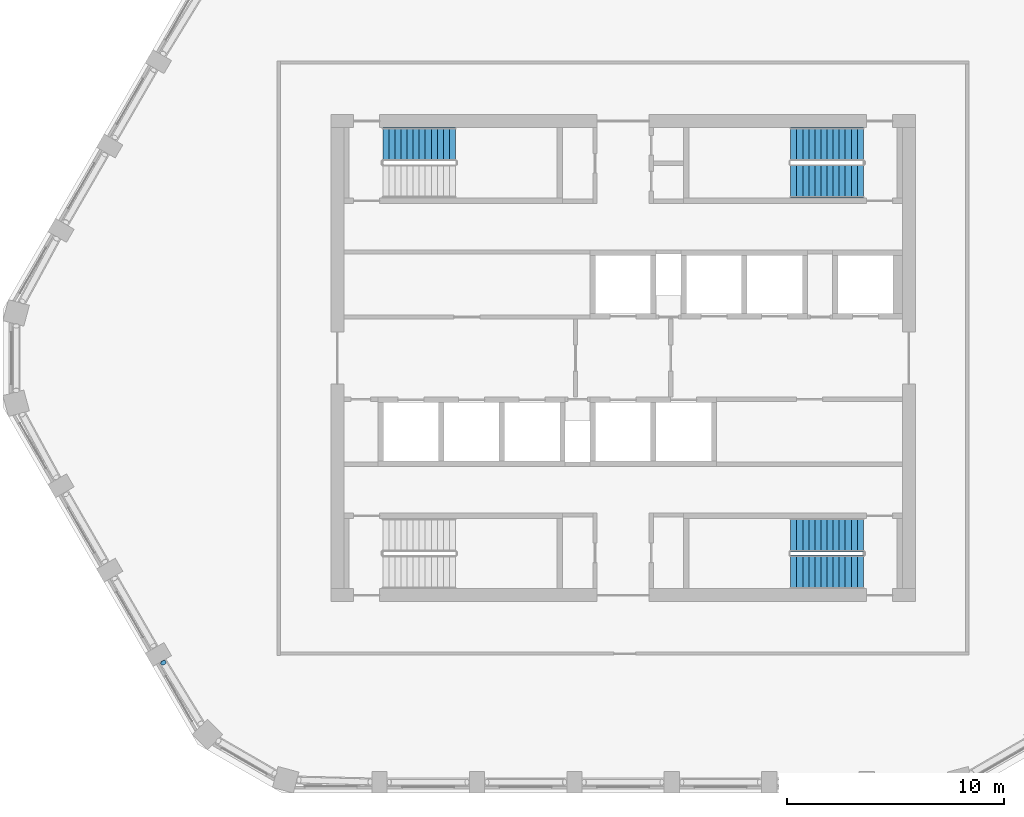
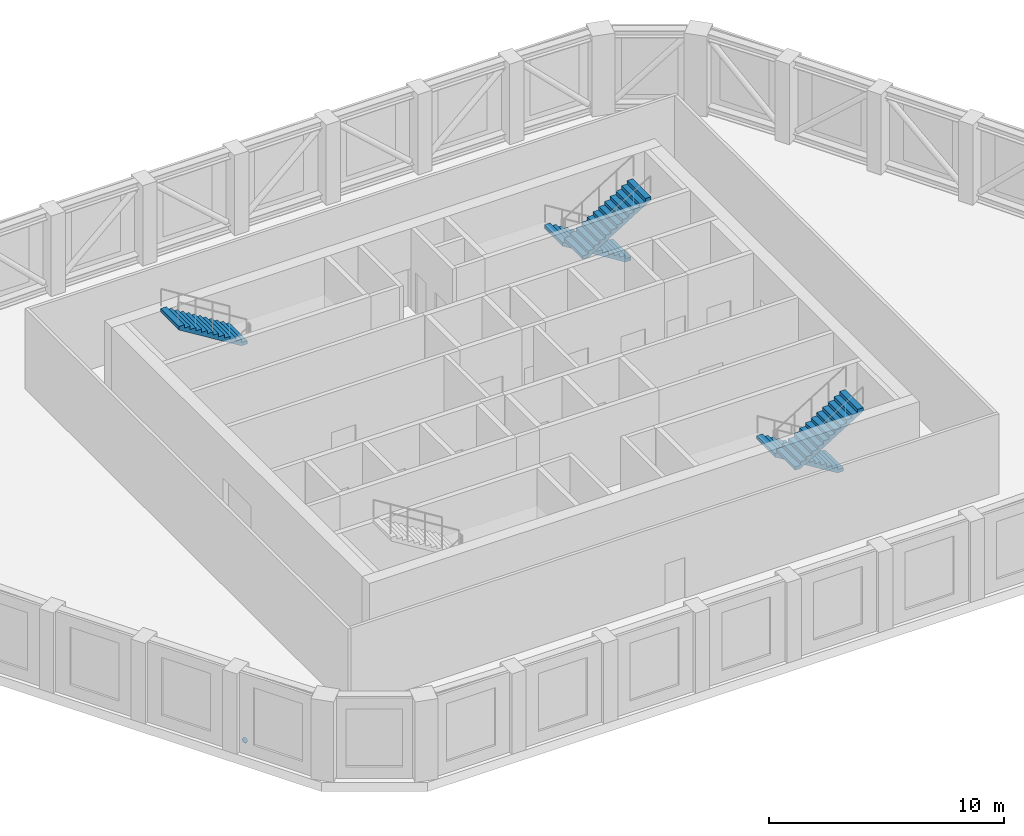
# One storey, part 7 of 14: 5 stair flights, 1 discrete accessory, 3 elements without a shape of their own.
"""IFC4 building model written with IfcOpenShell, lengths in metres."""

from ifc_helpers import new_model, si_unit, direction, frame, origin, origin_2d, place, context, subcontext, project, spatial, polyline, circle, outline, extrude, material, material_profile, profile_set, type_object, element, aggregate, save


model = new_model("IFC4")

# Units and contexts
model_context = context("Model", 3, precision=1e-05, world=origin(), true_north=direction((0.0, 1.0)))
body_context = subcontext(model_context, "Body", "Model", "MODEL_VIEW")
ifc_project = project(units=[si_unit("LENGTHUNIT", "METRE"), si_unit("AREAUNIT", "SQUARE_METRE"), si_unit("VOLUMEUNIT", "CUBIC_METRE"), si_unit("PLANEANGLEUNIT", "RADIAN"), si_unit("MASSUNIT", "GRAM", prefix="KILO")], contexts=[model_context])

# Site, building, storey
site_placement = place(None, origin())
site = spatial("IfcSite", under=ifc_project, at=site_placement, CompositionType="ELEMENT")
building_placement = place(site_placement, origin())
building = spatial("IfcBuilding", under=site, at=building_placement, Name="Dhurran Vertical Campus", CompositionType="ELEMENT")
storey_placement = place(building_placement, frame((0.0, 0.0, 282.0)))
storey = spatial("IfcBuildingStorey", under=building, at=storey_placement, Name="L70 Plant", CompositionType="ELEMENT", Elevation=282.0)

# Stair, stair flight
ifc_material_1 = material(Name="Concrete C40/50", Category="concrete")
stair_type = type_object("IfcStairType", Name="co-ST-CORE", PredefinedType="HALF_TURN_STAIR", material=ifc_material_1)
stair_1_placement = place(storey_placement, origin())
stair_1 = element("IfcStair", 1, at=stair_1_placement, inside=storey, type_object=stair_type, Name="L70 Plant Protected exit stair ST1", PredefinedType="HALF_TURN_STAIR")
ifc_material_2 = material(Name="Concrete C40/50", Category="concrete")
stair_flight_type = type_object("IfcStairFlightType", Name="co-SFL-RC", PredefinedType="STRAIGHT", material=ifc_material_2)
stair_flight_1_placement = place(storey_placement, frame((-7.739990234375, 9.875, 2.25), z_axis=(0.0, 0.0, 1.0), x_axis=(-1.0, 0.0, 0.0)))
stair_flight_1 = element("IfcStairFlight", 2, at=stair_flight_1_placement, type_object=stair_flight_type, Name="ST1 flight 2", NumberOfRisers=13, NumberOfTreads=12, PredefinedType="STRAIGHT", RiserHeight=0.173076923, TreadLength=0.28, context=body_context, shape_type="SweptSolid", body=[
    extrude(outline(polyline([(0.0, 0.0), (0.0, 0.173095703125), (0.280029296875, 0.173095703125), (0.280029296875, 0.34619140625), (0.56005859375, 0.34619140625), (0.56005859375, 0.519287109375), (0.840087890625, 0.519287109375), (0.840087890625, 0.6923828125), (1.1201171875, 0.6923828125), (1.1201171875, 0.865478515625), (1.39990234375, 0.865478515625), (1.39990234375, 1.03857421875), (1.679931640625, 1.03857421875), (1.679931640625, 1.21142578125), (1.9599609375, 1.21142578125), (1.9599609375, 1.384521484375), (2.239990234375, 1.384521484375), (2.239990234375, 1.5576171875), (2.52001953125, 1.5576171875), (2.52001953125, 1.730712890625), (2.800048828125, 1.730712890625), (2.800048828125, 1.90380859375), (3.080078125, 1.90380859375), (3.080078125, 2.076904296875), (3.360107421875, 2.076904296875), (3.360107421875, 2.25), (3.360107421875, 1.900634765625), (0.28515625, 0.0), (0.0, 0.0)])), frame((0.0, 0.77490234375, 0.0), z_axis=(0.0, -1.0, 0.0), x_axis=(1.0, 0.0, 0.0)), (0.0, 0.0, 1.0), 1.550048828125),
])
aggregate(stair_1, [stair_flight_1])

# Stair, stair flights
stair_2_placement = place(storey_placement, origin())
stair_2 = element("IfcStair", 3, at=stair_2_placement, inside=storey, type_object=stair_type, Name="L70 Plant Protected exit stair ST2", PredefinedType="HALF_TURN_STAIR")
stair_flight_2_placement = place(storey_placement, frame((11.10009765625, 9.875, 0.0), z_axis=(0.0, 0.0, 1.0), x_axis=(-1.0, 0.0, 0.0)))
stair_flight_2 = element("IfcStairFlight", 4, at=stair_flight_2_placement, type_object=stair_flight_type, Name="ST2 flight 1", NumberOfRisers=13, NumberOfTreads=12, PredefinedType="STRAIGHT", RiserHeight=0.173076923, TreadLength=0.28, context=body_context, shape_type="SweptSolid", body=[
    extrude(outline(polyline([(0.0, 0.0), (0.0, 0.173095703125), (0.280029296875, 0.173095703125), (0.280029296875, 0.34619140625), (0.56005859375, 0.34619140625), (0.56005859375, 0.519287109375), (0.840087890625, 0.519287109375), (0.840087890625, 0.6923828125), (1.1201171875, 0.6923828125), (1.1201171875, 0.865478515625), (1.39990234375, 0.865478515625), (1.39990234375, 1.03857421875), (1.679931640625, 1.03857421875), (1.679931640625, 1.21142578125), (1.9599609375, 1.21142578125), (1.9599609375, 1.384521484375), (2.239990234375, 1.384521484375), (2.239990234375, 1.5576171875), (2.52001953125, 1.5576171875), (2.52001953125, 1.730712890625), (2.800048828125, 1.730712890625), (2.800048828125, 1.90380859375), (3.080078125, 1.90380859375), (3.080078125, 2.076904296875), (3.360107421875, 2.076904296875), (3.360107421875, 2.25), (3.360107421875, 1.900634765625), (0.28515625, 0.0), (0.0, 0.0)])), frame((0.0, 0.77490234375, 0.0), z_axis=(0.0, -1.0, 0.0), x_axis=(1.0, 0.0, 0.0)), (0.0, 0.0, 1.0), 1.550048828125),
])
stair_flight_3_placement = place(storey_placement, frame((7.739990234375, 8.175048828125, 2.25), z_axis=(0.0, 0.0, 1.0), x_axis=(1.0, 0.0, 0.0)))
stair_flight_3 = element("IfcStairFlight", 5, at=stair_flight_3_placement, type_object=stair_flight_type, Name="ST2 flight 2", NumberOfRisers=13, NumberOfTreads=12, PredefinedType="STRAIGHT", RiserHeight=0.173076923, TreadLength=0.28, context=body_context, shape_type="SweptSolid", body=[
    extrude(outline(polyline([(0.0, 0.0), (0.0, 0.173095703125), (0.280029296875, 0.173095703125), (0.280029296875, 0.34619140625), (0.56005859375, 0.34619140625), (0.56005859375, 0.519287109375), (0.840087890625, 0.519287109375), (0.840087890625, 0.6923828125), (1.1201171875, 0.6923828125), (1.1201171875, 0.865478515625), (1.39990234375, 0.865478515625), (1.39990234375, 1.03857421875), (1.679931640625, 1.03857421875), (1.679931640625, 1.21142578125), (1.9599609375, 1.21142578125), (1.9599609375, 1.384521484375), (2.239990234375, 1.384521484375), (2.239990234375, 1.5576171875), (2.52001953125, 1.5576171875), (2.52001953125, 1.730712890625), (2.800048828125, 1.730712890625), (2.800048828125, 1.90380859375), (3.080078125, 1.90380859375), (3.080078125, 2.076904296875), (3.360107421875, 2.076904296875), (3.360107421875, 2.25), (3.360107421875, 1.900634765625), (0.28515625, 0.0), (0.0, 0.0)])), frame((0.0, 0.77490234375, 0.0), z_axis=(0.0, -1.0, 0.0), x_axis=(1.0, 0.0, 0.0)), (0.0, 0.0, 1.0), 1.550048828125),
])
aggregate(stair_2, [stair_flight_2, stair_flight_3])

stair_3_placement = place(storey_placement, origin())
stair_3 = element("IfcStair", 6, at=stair_3_placement, inside=storey, type_object=stair_type, Name="L70 Plant Protected exit stair ST4", PredefinedType="HALF_TURN_STAIR")
stair_flight_4_placement = place(storey_placement, frame((11.10009765625, -8.175048828125, 0.0), z_axis=(0.0, 0.0, 1.0), x_axis=(-1.0, 0.0, 0.0)))
stair_flight_4 = element("IfcStairFlight", 7, at=stair_flight_4_placement, type_object=stair_flight_type, Name="ST4 flight 1", NumberOfRisers=13, NumberOfTreads=12, PredefinedType="STRAIGHT", RiserHeight=0.173076923, TreadLength=0.28, context=body_context, shape_type="SweptSolid", body=[
    extrude(outline(polyline([(0.0, 0.0), (0.0, 0.173095703125), (0.280029296875, 0.173095703125), (0.280029296875, 0.34619140625), (0.56005859375, 0.34619140625), (0.56005859375, 0.519287109375), (0.840087890625, 0.519287109375), (0.840087890625, 0.6923828125), (1.1201171875, 0.6923828125), (1.1201171875, 0.865478515625), (1.39990234375, 0.865478515625), (1.39990234375, 1.03857421875), (1.679931640625, 1.03857421875), (1.679931640625, 1.21142578125), (1.9599609375, 1.21142578125), (1.9599609375, 1.384521484375), (2.239990234375, 1.384521484375), (2.239990234375, 1.5576171875), (2.52001953125, 1.5576171875), (2.52001953125, 1.730712890625), (2.800048828125, 1.730712890625), (2.800048828125, 1.90380859375), (3.080078125, 1.90380859375), (3.080078125, 2.076904296875), (3.360107421875, 2.076904296875), (3.360107421875, 2.25), (3.360107421875, 1.900634765625), (0.28515625, 0.0), (0.0, 0.0)])), frame((0.0, 0.77490234375, 0.0), z_axis=(0.0, -1.0, 0.0), x_axis=(1.0, 0.0, 0.0)), (0.0, 0.0, 1.0), 1.550048828125),
])
stair_flight_5_placement = place(storey_placement, frame((7.739990234375, -9.875, 2.25), z_axis=(0.0, 0.0, 1.0), x_axis=(1.0, 0.0, 0.0)))
stair_flight_5 = element("IfcStairFlight", 8, at=stair_flight_5_placement, type_object=stair_flight_type, Name="ST4 flight 2", NumberOfRisers=13, NumberOfTreads=12, PredefinedType="STRAIGHT", RiserHeight=0.173076923, TreadLength=0.28, context=body_context, shape_type="SweptSolid", body=[
    extrude(outline(polyline([(0.0, 0.0), (0.0, 0.173095703125), (0.280029296875, 0.173095703125), (0.280029296875, 0.34619140625), (0.56005859375, 0.34619140625), (0.56005859375, 0.519287109375), (0.840087890625, 0.519287109375), (0.840087890625, 0.6923828125), (1.1201171875, 0.6923828125), (1.1201171875, 0.865478515625), (1.39990234375, 0.865478515625), (1.39990234375, 1.03857421875), (1.679931640625, 1.03857421875), (1.679931640625, 1.21142578125), (1.9599609375, 1.21142578125), (1.9599609375, 1.384521484375), (2.239990234375, 1.384521484375), (2.239990234375, 1.5576171875), (2.52001953125, 1.5576171875), (2.52001953125, 1.730712890625), (2.800048828125, 1.730712890625), (2.800048828125, 1.90380859375), (3.080078125, 1.90380859375), (3.080078125, 2.076904296875), (3.360107421875, 2.076904296875), (3.360107421875, 2.25), (3.360107421875, 1.900634765625), (0.28515625, 0.0), (0.0, 0.0)])), frame((0.0, 0.77490234375, 0.0), z_axis=(0.0, -1.0, 0.0), x_axis=(1.0, 0.0, 0.0)), (0.0, 0.0, 1.0), 1.550048828125),
])
aggregate(stair_3, [stair_flight_4, stair_flight_5])

# Discrete accessory
ifc_material_3 = material(Name="Steel S355J2", Category="steel")
ifc_material_profile = material_profile(ifc_material_3, circle(Radius=0.136474609375, at=origin_2d()), Name="Tube end cap 273 x 20")
ifc_profile_set = profile_set([ifc_material_profile], Name="Steel S355J2")
discrete_accessory_type = type_object("IfcDiscreteAccessoryType", Name="Tube end cap 273 x 20", PredefinedType="USERDEFINED", material=ifc_profile_set)
discrete_accessory_placement = place(storey_placement, frame((-21.22998046875, -14.07373046875, 0.468994140625), z_axis=(-0.367911267232, 0.613185445387, -0.699031407741), x_axis=(-0.857492925713, -0.514495755428, 0.0)))
element("IfcDiscreteAccessory", 9, at=discrete_accessory_placement, inside=storey, type_object=discrete_accessory_type, Name="EC1 belt L70 d34 capA", ObjectType="END CAP", PredefinedType="USERDEFINED", context=body_context, shape_type="SweptSolid", body=[
    extrude(circle(Radius=0.136474609375, at=origin_2d()), origin(), (0.0, 0.0, 1.0), 0.02001953125),
])

save(model, "model.ifc")
